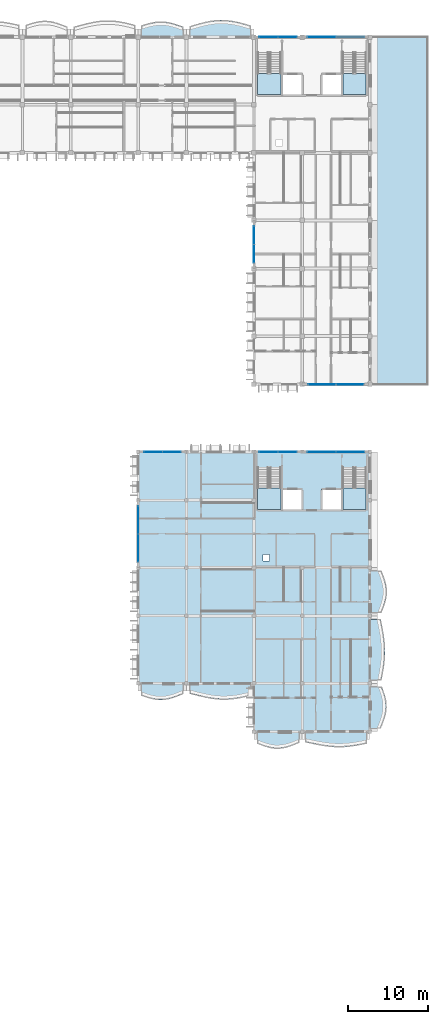
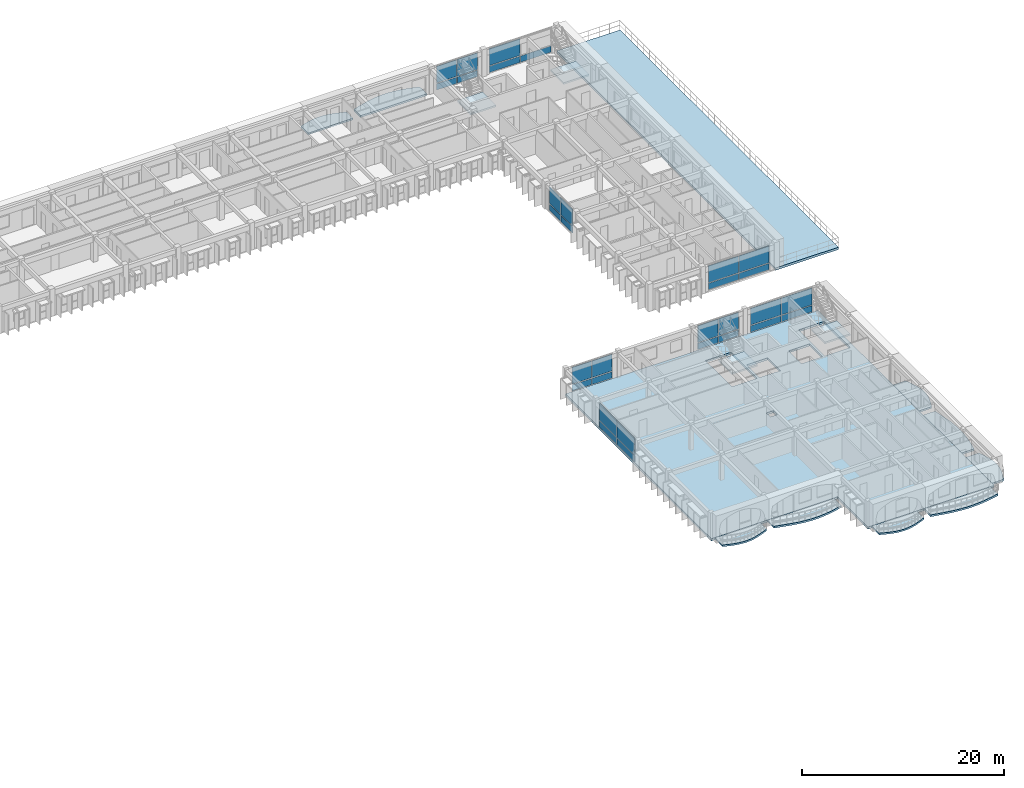
# One storey, part 20 of 68: 31 plates, 15 slabs, 12 elements without a shape of their own.
"""IFC4 building model written with IfcOpenShell, lengths in metres."""

from ifc_helpers import new_model, si_unit, direction, frame, origin, origin_2d, place, context, subcontext, project, spatial, polyline, rectangle, outline, extrude, material, layer, layer_set, type_object, element, aggregate, save


model = new_model("IFC4")

# Units and contexts
model_context = context("Model", 3, precision=1e-05, world=origin(), true_north=direction((0.0, 1.0)))
body_context = subcontext(model_context, "Body", "Model", "MODEL_VIEW")
ifc_project = project(units=[si_unit("LENGTHUNIT", "METRE"), si_unit("AREAUNIT", "SQUARE_METRE"), si_unit("VOLUMEUNIT", "CUBIC_METRE"), si_unit("PLANEANGLEUNIT", "RADIAN"), si_unit("MASSUNIT", "GRAM", prefix="KILO"), si_unit("THERMODYNAMICTEMPERATUREUNIT", "KELVIN")], contexts=[model_context])

# Site, building, storey
site_placement = place(None, origin())
site = spatial("IfcSite", under=ifc_project, at=site_placement, CompositionType="ELEMENT")
building_placement = place(site_placement, origin())
building = spatial("IfcBuilding", under=site, at=building_placement, Name="Thalorik Housing Commons", CompositionType="ELEMENT")
storey_placement = place(building_placement, frame((0.0, 0.0, 24.60009765625)))
storey = spatial("IfcBuildingStorey", under=building, at=storey_placement, Name="L07", CompositionType="ELEMENT", Elevation=24.60009765625)

# Curtain wall, plates
ifc_material_1 = material(Name="Anodised aluminium and solar-control low-E glass", Category="aluminium")
curtain_wall_type_1 = type_object("IfcCurtainWallType", Name="ARC-CW-CORE", PredefinedType="USERDEFINED", material=ifc_material_1)
curtain_wall_1_placement = place(storey_placement, origin())
curtain_wall_1 = element("IfcCurtainWall", 1, at=curtain_wall_1_placement, inside=storey, type_object=curtain_wall_type_1, Name="L07 Curtain Wall CW-CORE-L07-B-101", ObjectType="CURTAIN WALL", PredefinedType="USERDEFINED")
ifc_material_2 = material(Name="Cobalt blue enamelled aluminium spandrel panel", Category="aluminium")
ifc_layer_1 = layer(ifc_material_2, 0.0458984375, Name="Cobalt blue enamelled aluminium spandrel panel", Category="aluminium")
ifc_layer_set_1 = layer_set([ifc_layer_1], Name="Cobalt blue enamelled aluminium spandrel panel")
plate_type_1 = type_object("IfcPlateType", Name="ARC-CP-BLU-46", PredefinedType="CURTAIN_PANEL", material=ifc_layer_set_1)
plate_1_placement = place(storey_placement, frame((164.375, 123.60009765625, 0.080078125), z_axis=(0.0, 0.0, 1.0), x_axis=(-1.0, 0.0, 0.0)))
plate_1 = element("IfcPlate", 2, at=plate_1_placement, type_object=plate_type_1, Name="CW-CORE-L07-B-101 Spandrel Panel 1", PredefinedType="CURTAIN_PANEL", context=body_context, shape_type="SweptSolid", body=[
    extrude(rectangle(XDim=3.489990234375, YDim=0.0458984375, at=origin_2d()), origin(), (0.0, 0.0, 1.0), 0.760009765625),
])
plate_2_placement = place(storey_placement, frame((160.824951171875, 123.60009765625, 0.080078125), z_axis=(0.0, 0.0, 1.0), x_axis=(-1.0, 0.0, 0.0)))
plate_2 = element("IfcPlate", 3, at=plate_2_placement, type_object=plate_type_1, Name="CW-CORE-L07-B-101 Spandrel Panel 2", PredefinedType="CURTAIN_PANEL", context=body_context, shape_type="SweptSolid", body=[
    extrude(rectangle(XDim=3.489990234375, YDim=0.0458984375, at=origin_2d()), origin(), (0.0, 0.0, 1.0), 0.760009765625),
])

curtain_wall_type_2 = type_object("IfcCurtainWallType", Name="ARC-CW-LOUNGE", PredefinedType="USERDEFINED", material=ifc_material_1)
curtain_wall_2_placement = place(storey_placement, origin())
curtain_wall_2 = element("IfcCurtainWall", 4, at=curtain_wall_2_placement, inside=storey, type_object=curtain_wall_type_2, Name="L07 Curtain Wall CW-RES-L07-D-201", ObjectType="CURTAIN WALL", PredefinedType="USERDEFINED")
plate_3_placement = place(storey_placement, frame((138.0, 63.550048828125, 0.080078125), z_axis=(0.0, 0.0, 1.0), x_axis=(0.0, -1.0, 0.0)))
plate_3 = element("IfcPlate", 5, at=plate_3_placement, type_object=plate_type_1, Name="CW-RES-L07-D-201 Spandrel Panel 1", PredefinedType="CURTAIN_PANEL", context=body_context, shape_type="SweptSolid", body=[
    extrude(rectangle(XDim=3.43994140625, YDim=0.0458984375, at=origin_2d()), origin(), (0.0, 0.0, 1.0), 0.760009765625),
])
plate_4_placement = place(storey_placement, frame((138.0, 60.050048828125, 0.080078125), z_axis=(0.0, 0.0, 1.0), x_axis=(0.0, -1.0, 0.0)))
plate_4 = element("IfcPlate", 6, at=plate_4_placement, type_object=plate_type_1, Name="CW-RES-L07-D-201 Spandrel Panel 2", PredefinedType="CURTAIN_PANEL", context=body_context, shape_type="SweptSolid", body=[
    extrude(rectangle(XDim=3.43994140625, YDim=0.0458984375, at=origin_2d()), origin(), (0.0, 0.0, 1.0), 0.760009765625),
])

# Plate
ifc_material_3 = material(Name="Double solar-control low-E glass", Category="glass")
ifc_layer_2 = layer(ifc_material_3, 0.028076171875, Name="Double solar-control low-E glass", Category="glass")
ifc_layer_set_2 = layer_set([ifc_layer_2], Name="Double solar-control low-E glass")
plate_type_2 = type_object("IfcPlateType", Name="ARC-CP-GLZ-28", PredefinedType="CURTAIN_PANEL", material=ifc_layer_set_2)
plate_5_placement = place(storey_placement, frame((160.824951171875, 123.60009765625, 0.919921875), z_axis=(0.0, 0.0, 1.0), x_axis=(-1.0, 0.0, 0.0)))
plate_5 = element("IfcPlate", 7, at=plate_5_placement, type_object=plate_type_2, Name="CW-CORE-L07-B-101 Vision Panel 2", PredefinedType="CURTAIN_PANEL", context=body_context, shape_type="SweptSolid", body=[
    extrude(rectangle(XDim=3.489990234375, YDim=0.028076171875, at=origin_2d()), origin(), (0.0, 0.0, 1.0), 2.0400390625),
])

aggregate(curtain_wall_1, [plate_1, plate_2, plate_5])

# Curtain wall, plates
curtain_wall_3_placement = place(storey_placement, origin())
curtain_wall_3 = element("IfcCurtainWall", 8, at=curtain_wall_3_placement, inside=storey, type_object=curtain_wall_type_1, Name="L07 Curtain Wall CW-CORE-L07-B-102", ObjectType="CURTAIN WALL", PredefinedType="USERDEFINED")
plate_6_placement = place(storey_placement, frame((156.574951171875, 123.60009765625, 0.919921875), z_axis=(0.0, 0.0, 1.0), x_axis=(-1.0, 0.0, 0.0)))
plate_6 = element("IfcPlate", 9, at=plate_6_placement, type_object=plate_type_2, Name="CW-CORE-L07-B-102 Vision Panel 1", PredefinedType="CURTAIN_PANEL", context=body_context, shape_type="SweptSolid", body=[
    extrude(rectangle(XDim=2.2900390625, YDim=0.028076171875, at=origin_2d()), origin(), (0.0, 0.0, 1.0), 2.0400390625),
])
plate_7_placement = place(storey_placement, frame((154.22509765625, 123.60009765625, 0.919921875), z_axis=(0.0, 0.0, 1.0), x_axis=(-1.0, 0.0, 0.0)))
plate_7 = element("IfcPlate", 10, at=plate_7_placement, type_object=plate_type_2, Name="CW-CORE-L07-B-102 Vision Panel 2", PredefinedType="CURTAIN_PANEL", context=body_context, shape_type="SweptSolid", body=[
    extrude(rectangle(XDim=2.2900390625, YDim=0.028076171875, at=origin_2d()), origin(), (0.0, 0.0, 1.0), 2.0400390625),
])

curtain_wall_4_placement = place(storey_placement, origin())
curtain_wall_4 = element("IfcCurtainWall", 11, at=curtain_wall_4_placement, inside=storey, type_object=curtain_wall_type_2, Name="L07 Curtain Wall CW-RES-L07-B-105", ObjectType="CURTAIN WALL", PredefinedType="USERDEFINED")
plate_8_placement = place(storey_placement, frame((152.39990234375, 98.949951171875, 0.919921875), z_axis=(0.0, 0.0, 1.0), x_axis=(0.0, -1.0, 0.0)))
plate_8 = element("IfcPlate", 12, at=plate_8_placement, type_object=plate_type_2, Name="CW-RES-L07-B-105 Vision Panel 1", PredefinedType="CURTAIN_PANEL", context=body_context, shape_type="SweptSolid", body=[
    extrude(rectangle(XDim=2.239990234375, YDim=0.028076171875, at=origin_2d()), origin(), (0.0, 0.0, 1.0), 2.0400390625),
])
plate_9_placement = place(storey_placement, frame((152.39990234375, 96.64990234375, 0.919921875), z_axis=(0.0, 0.0, 1.0), x_axis=(0.0, -1.0, 0.0)))
plate_9 = element("IfcPlate", 13, at=plate_9_placement, type_object=plate_type_2, Name="CW-RES-L07-B-105 Vision Panel 2", PredefinedType="CURTAIN_PANEL", context=body_context, shape_type="SweptSolid", body=[
    extrude(rectangle(XDim=2.239990234375, YDim=0.028076171875, at=origin_2d()), origin(), (0.0, 0.0, 1.0), 2.0400390625),
])

curtain_wall_5_placement = place(storey_placement, origin())
curtain_wall_5 = element("IfcCurtainWall", 14, at=curtain_wall_5_placement, inside=storey, type_object=curtain_wall_type_2, Name="L07 Curtain Wall CW-RES-L07-B-106", ObjectType="CURTAIN WALL", PredefinedType="USERDEFINED")
plate_10_placement = place(storey_placement, frame((160.85009765625, 80.39990234375, 0.919921875), z_axis=(0.0, 0.0, 1.0), x_axis=(1.0, 0.0, 0.0)))
plate_10 = element("IfcPlate", 15, at=plate_10_placement, type_object=plate_type_2, Name="CW-RES-L07-B-106 Vision Panel 1", PredefinedType="CURTAIN_PANEL", context=body_context, shape_type="SweptSolid", body=[
    extrude(rectangle(XDim=3.43994140625, YDim=0.028076171875, at=origin_2d()), origin(), (0.0, 0.0, 1.0), 2.0400390625),
])
plate_11_placement = place(storey_placement, frame((164.35009765625, 80.39990234375, 0.919921875), z_axis=(0.0, 0.0, 1.0), x_axis=(1.0, 0.0, 0.0)))
plate_11 = element("IfcPlate", 16, at=plate_11_placement, type_object=plate_type_2, Name="CW-RES-L07-B-106 Vision Panel 2", PredefinedType="CURTAIN_PANEL", context=body_context, shape_type="SweptSolid", body=[
    extrude(rectangle(XDim=3.43994140625, YDim=0.028076171875, at=origin_2d()), origin(), (0.0, 0.0, 1.0), 2.0400390625),
])

curtain_wall_6_placement = place(storey_placement, origin())
curtain_wall_6 = element("IfcCurtainWall", 17, at=curtain_wall_6_placement, inside=storey, type_object=curtain_wall_type_2, Name="L07 Curtain Wall CW-RES-L07-D-200", ObjectType="CURTAIN WALL", PredefinedType="USERDEFINED")
plate_12_placement = place(storey_placement, frame((142.14990234375, 72.0, 0.919921875), z_axis=(0.0, 0.0, 1.0), x_axis=(-1.0, 0.0, 0.0)))
plate_12 = element("IfcPlate", 18, at=plate_12_placement, type_object=plate_type_2, Name="CW-RES-L07-D-200 Vision Panel 1", PredefinedType="CURTAIN_PANEL", context=body_context, shape_type="SweptSolid", body=[
    extrude(rectangle(XDim=2.239990234375, YDim=0.028076171875, at=origin_2d()), origin(), (0.0, 0.0, 1.0), 2.0400390625),
])
plate_13_placement = place(storey_placement, frame((139.85009765625, 72.0, 0.919921875), z_axis=(0.0, 0.0, 1.0), x_axis=(-1.0, 0.0, 0.0)))
plate_13 = element("IfcPlate", 19, at=plate_13_placement, type_object=plate_type_2, Name="CW-RES-L07-D-200 Vision Panel 2", PredefinedType="CURTAIN_PANEL", context=body_context, shape_type="SweptSolid", body=[
    extrude(rectangle(XDim=2.239990234375, YDim=0.028076171875, at=origin_2d()), origin(), (0.0, 0.0, 1.0), 2.0400390625),
])

# Plate
plate_14_placement = place(storey_placement, frame((138.0, 63.550048828125, 0.919921875), z_axis=(0.0, 0.0, 1.0), x_axis=(0.0, -1.0, 0.0)))
plate_14 = element("IfcPlate", 20, at=plate_14_placement, type_object=plate_type_2, Name="CW-RES-L07-D-201 Vision Panel 1", PredefinedType="CURTAIN_PANEL", context=body_context, shape_type="SweptSolid", body=[
    extrude(rectangle(XDim=3.43994140625, YDim=0.028076171875, at=origin_2d()), origin(), (0.0, 0.0, 1.0), 2.0400390625),
])

plate_15_placement = place(storey_placement, frame((138.0, 60.050048828125, 0.919921875), z_axis=(0.0, 0.0, 1.0), x_axis=(0.0, -1.0, 0.0)))
plate_15 = element("IfcPlate", 21, at=plate_15_placement, type_object=plate_type_2, Name="CW-RES-L07-D-201 Vision Panel 2", PredefinedType="CURTAIN_PANEL", context=body_context, shape_type="SweptSolid", body=[
    extrude(rectangle(XDim=3.43994140625, YDim=0.028076171875, at=origin_2d()), origin(), (0.0, 0.0, 1.0), 2.0400390625),
])

aggregate(curtain_wall_2, [plate_3, plate_14, plate_4, plate_15])

# Curtain wall, plates
curtain_wall_7_placement = place(storey_placement, origin())
curtain_wall_7 = element("IfcCurtainWall", 22, at=curtain_wall_7_placement, inside=storey, type_object=curtain_wall_type_1, Name="L07 Curtain Wall CW-CORE-L07-D-205", ObjectType="CURTAIN WALL", PredefinedType="USERDEFINED")
plate_16_placement = place(storey_placement, frame((164.375, 72.0, 0.919921875), z_axis=(0.0, 0.0, 1.0), x_axis=(-1.0, 0.0, 0.0)))
plate_16 = element("IfcPlate", 23, at=plate_16_placement, type_object=plate_type_2, Name="CW-CORE-L07-D-205 Vision Panel 1", PredefinedType="CURTAIN_PANEL", context=body_context, shape_type="SweptSolid", body=[
    extrude(rectangle(XDim=3.489990234375, YDim=0.028076171875, at=origin_2d()), origin(), (0.0, 0.0, 1.0), 2.0400390625),
])
plate_17_placement = place(storey_placement, frame((160.824951171875, 72.0, 0.919921875), z_axis=(0.0, 0.0, 1.0), x_axis=(-1.0, 0.0, 0.0)))
plate_17 = element("IfcPlate", 24, at=plate_17_placement, type_object=plate_type_2, Name="CW-CORE-L07-D-205 Vision Panel 2", PredefinedType="CURTAIN_PANEL", context=body_context, shape_type="SweptSolid", body=[
    extrude(rectangle(XDim=3.489990234375, YDim=0.028076171875, at=origin_2d()), origin(), (0.0, 0.0, 1.0), 2.0400390625),
])

curtain_wall_8_placement = place(storey_placement, origin())
curtain_wall_8 = element("IfcCurtainWall", 25, at=curtain_wall_8_placement, inside=storey, type_object=curtain_wall_type_1, Name="L07 Curtain Wall CW-CORE-L07-D-206", ObjectType="CURTAIN WALL", PredefinedType="USERDEFINED")
plate_18_placement = place(storey_placement, frame((156.574951171875, 72.0, 0.919921875), z_axis=(0.0, 0.0, 1.0), x_axis=(-1.0, 0.0, 0.0)))
plate_18 = element("IfcPlate", 26, at=plate_18_placement, type_object=plate_type_2, Name="CW-CORE-L07-D-206 Vision Panel 1", PredefinedType="CURTAIN_PANEL", context=body_context, shape_type="SweptSolid", body=[
    extrude(rectangle(XDim=2.2900390625, YDim=0.028076171875, at=origin_2d()), origin(), (0.0, 0.0, 1.0), 2.0400390625),
])
plate_19_placement = place(storey_placement, frame((154.22509765625, 72.0, 0.919921875), z_axis=(0.0, 0.0, 1.0), x_axis=(-1.0, 0.0, 0.0)))
plate_19 = element("IfcPlate", 27, at=plate_19_placement, type_object=plate_type_2, Name="CW-CORE-L07-D-206 Vision Panel 2", PredefinedType="CURTAIN_PANEL", context=body_context, shape_type="SweptSolid", body=[
    extrude(rectangle(XDim=2.2900390625, YDim=0.028076171875, at=origin_2d()), origin(), (0.0, 0.0, 1.0), 2.0400390625),
])

# Plate
ifc_material_4 = material(Name="Oxide red enamelled aluminium spandrel panel", Category="aluminium")
ifc_layer_3 = layer(ifc_material_4, 0.0419921875, Name="Oxide red enamelled aluminium spandrel panel", Category="aluminium")
ifc_layer_set_3 = layer_set([ifc_layer_3], Name="Oxide red enamelled aluminium spandrel panel")
plate_type_3 = type_object("IfcPlateType", Name="ARC-CP-RED-42", PredefinedType="CURTAIN_PANEL", material=ifc_layer_set_3)
plate_20_placement = place(storey_placement, frame((160.85009765625, 80.39990234375, 0.080078125), z_axis=(0.0, 0.0, 1.0), x_axis=(1.0, 0.0, 0.0)))
plate_20 = element("IfcPlate", 28, at=plate_20_placement, type_object=plate_type_3, Name="CW-RES-L07-B-106 Spandrel Panel 1", PredefinedType="CURTAIN_PANEL", context=body_context, shape_type="SweptSolid", body=[
    extrude(rectangle(XDim=3.43994140625, YDim=0.0419921875, at=origin_2d()), origin(), (0.0, 0.0, 1.0), 0.760009765625),
])

plate_21_placement = place(storey_placement, frame((164.35009765625, 80.39990234375, 0.080078125), z_axis=(0.0, 0.0, 1.0), x_axis=(1.0, 0.0, 0.0)))
plate_21 = element("IfcPlate", 29, at=plate_21_placement, type_object=plate_type_3, Name="CW-RES-L07-B-106 Spandrel Panel 2", PredefinedType="CURTAIN_PANEL", context=body_context, shape_type="SweptSolid", body=[
    extrude(rectangle(XDim=3.43994140625, YDim=0.0419921875, at=origin_2d()), origin(), (0.0, 0.0, 1.0), 0.760009765625),
])

aggregate(curtain_wall_5, [plate_20, plate_10, plate_21, plate_11])

plate_22_placement = place(storey_placement, frame((156.574951171875, 72.0, 0.080078125), z_axis=(0.0, 0.0, 1.0), x_axis=(-1.0, 0.0, 0.0)))
plate_22 = element("IfcPlate", 30, at=plate_22_placement, type_object=plate_type_3, Name="CW-CORE-L07-D-206 Spandrel Panel 1", PredefinedType="CURTAIN_PANEL", context=body_context, shape_type="SweptSolid", body=[
    extrude(rectangle(XDim=2.2900390625, YDim=0.0419921875, at=origin_2d()), origin(), (0.0, 0.0, 1.0), 0.760009765625),
])

plate_23_placement = place(storey_placement, frame((154.22509765625, 72.0, 0.080078125), z_axis=(0.0, 0.0, 1.0), x_axis=(-1.0, 0.0, 0.0)))
plate_23 = element("IfcPlate", 31, at=plate_23_placement, type_object=plate_type_3, Name="CW-CORE-L07-D-206 Spandrel Panel 2", PredefinedType="CURTAIN_PANEL", context=body_context, shape_type="SweptSolid", body=[
    extrude(rectangle(XDim=2.2900390625, YDim=0.0419921875, at=origin_2d()), origin(), (0.0, 0.0, 1.0), 0.760009765625),
])

aggregate(curtain_wall_8, [plate_22, plate_18, plate_23, plate_19])

ifc_material_5 = material(Name="Mineral ochre yellow aluminium spandrel panel", Category="aluminium")
ifc_layer_4 = layer(ifc_material_5, 0.050048828125, Name="Mineral ochre yellow aluminium spandrel panel", Category="aluminium")
ifc_layer_set_4 = layer_set([ifc_layer_4], Name="Mineral ochre yellow aluminium spandrel panel")
plate_type_4 = type_object("IfcPlateType", Name="ARC-CP-YEL-50", PredefinedType="CURTAIN_PANEL", material=ifc_layer_set_4)
plate_24_placement = place(storey_placement, frame((156.574951171875, 123.60009765625, 0.080078125), z_axis=(0.0, 0.0, 1.0), x_axis=(-1.0, 0.0, 0.0)))
plate_24 = element("IfcPlate", 32, at=plate_24_placement, type_object=plate_type_4, Name="CW-CORE-L07-B-102 Spandrel Panel 1", PredefinedType="CURTAIN_PANEL", context=body_context, shape_type="SweptSolid", body=[
    extrude(rectangle(XDim=2.2900390625, YDim=0.050048828125, at=origin_2d()), origin(), (0.0, 0.0, 1.0), 0.760009765625),
])

plate_25_placement = place(storey_placement, frame((154.22509765625, 123.60009765625, 0.080078125), z_axis=(0.0, 0.0, 1.0), x_axis=(-1.0, 0.0, 0.0)))
plate_25 = element("IfcPlate", 33, at=plate_25_placement, type_object=plate_type_4, Name="CW-CORE-L07-B-102 Spandrel Panel 2", PredefinedType="CURTAIN_PANEL", context=body_context, shape_type="SweptSolid", body=[
    extrude(rectangle(XDim=2.2900390625, YDim=0.050048828125, at=origin_2d()), origin(), (0.0, 0.0, 1.0), 0.760009765625),
])

aggregate(curtain_wall_3, [plate_24, plate_6, plate_25, plate_7])

plate_26_placement = place(storey_placement, frame((152.39990234375, 98.949951171875, 0.080078125), z_axis=(0.0, 0.0, 1.0), x_axis=(0.0, -1.0, 0.0)))
plate_26 = element("IfcPlate", 34, at=plate_26_placement, type_object=plate_type_4, Name="CW-RES-L07-B-105 Spandrel Panel 1", PredefinedType="CURTAIN_PANEL", context=body_context, shape_type="SweptSolid", body=[
    extrude(rectangle(XDim=2.239990234375, YDim=0.050048828125, at=origin_2d()), origin(), (0.0, 0.0, 1.0), 0.760009765625),
])

plate_27_placement = place(storey_placement, frame((152.39990234375, 96.64990234375, 0.080078125), z_axis=(0.0, 0.0, 1.0), x_axis=(0.0, -1.0, 0.0)))
plate_27 = element("IfcPlate", 35, at=plate_27_placement, type_object=plate_type_4, Name="CW-RES-L07-B-105 Spandrel Panel 2", PredefinedType="CURTAIN_PANEL", context=body_context, shape_type="SweptSolid", body=[
    extrude(rectangle(XDim=2.239990234375, YDim=0.050048828125, at=origin_2d()), origin(), (0.0, 0.0, 1.0), 0.760009765625),
])

aggregate(curtain_wall_4, [plate_26, plate_8, plate_27, plate_9])

plate_28_placement = place(storey_placement, frame((142.14990234375, 72.0, 0.080078125), z_axis=(0.0, 0.0, 1.0), x_axis=(-1.0, 0.0, 0.0)))
plate_28 = element("IfcPlate", 36, at=plate_28_placement, type_object=plate_type_4, Name="CW-RES-L07-D-200 Spandrel Panel 1", PredefinedType="CURTAIN_PANEL", context=body_context, shape_type="SweptSolid", body=[
    extrude(rectangle(XDim=2.239990234375, YDim=0.050048828125, at=origin_2d()), origin(), (0.0, 0.0, 1.0), 0.760009765625),
])

plate_29_placement = place(storey_placement, frame((139.85009765625, 72.0, 0.080078125), z_axis=(0.0, 0.0, 1.0), x_axis=(-1.0, 0.0, 0.0)))
plate_29 = element("IfcPlate", 37, at=plate_29_placement, type_object=plate_type_4, Name="CW-RES-L07-D-200 Spandrel Panel 2", PredefinedType="CURTAIN_PANEL", context=body_context, shape_type="SweptSolid", body=[
    extrude(rectangle(XDim=2.239990234375, YDim=0.050048828125, at=origin_2d()), origin(), (0.0, 0.0, 1.0), 0.760009765625),
])

aggregate(curtain_wall_6, [plate_28, plate_12, plate_29, plate_13])

plate_30_placement = place(storey_placement, frame((164.375, 72.0, 0.080078125), z_axis=(0.0, 0.0, 1.0), x_axis=(-1.0, 0.0, 0.0)))
plate_30 = element("IfcPlate", 38, at=plate_30_placement, type_object=plate_type_4, Name="CW-CORE-L07-D-205 Spandrel Panel 1", PredefinedType="CURTAIN_PANEL", context=body_context, shape_type="SweptSolid", body=[
    extrude(rectangle(XDim=3.489990234375, YDim=0.050048828125, at=origin_2d()), origin(), (0.0, 0.0, 1.0), 0.760009765625),
])

plate_31_placement = place(storey_placement, frame((160.824951171875, 72.0, 0.080078125), z_axis=(0.0, 0.0, 1.0), x_axis=(-1.0, 0.0, 0.0)))
plate_31 = element("IfcPlate", 39, at=plate_31_placement, type_object=plate_type_4, Name="CW-CORE-L07-D-205 Spandrel Panel 2", PredefinedType="CURTAIN_PANEL", context=body_context, shape_type="SweptSolid", body=[
    extrude(rectangle(XDim=3.489990234375, YDim=0.050048828125, at=origin_2d()), origin(), (0.0, 0.0, 1.0), 0.760009765625),
])

aggregate(curtain_wall_7, [plate_30, plate_16, plate_31, plate_17])

# Stair, slab
ifc_material_6 = material(Name="Precast concrete C40/50", Category="concrete")
stair_type = type_object("IfcStairType", Name="ARC-STR-1350-R20", PredefinedType="HALF_TURN_STAIR", material=ifc_material_6)
stair_1_placement = place(storey_placement, origin())
stair_1 = element("IfcStair", 40, at=stair_1_placement, inside=storey, type_object=stair_type, Name="L07 Block B Smoke-Proof Stair 1", PredefinedType="HALF_TURN_STAIR")
ifc_layer_5 = layer(ifc_material_6, 0.199951171875, Name="Precast concrete C40/50", Category="concrete")
ifc_layer_set_5 = layer_set([ifc_layer_5], Name="Precast concrete C40/50")
slab_type_1 = type_object("IfcSlabType", Name="ARC-SLB-STLND-200", PredefinedType="LANDING", material=ifc_layer_set_5)
slab_1_placement = place(storey_placement, frame((0.0, 0.0, 1.449951171875)))
slab_1 = element("IfcSlab", 41, at=slab_1_placement, type_object=slab_type_1, Name="ST-B1 landing 1", PredefinedType="LANDING", context=body_context, shape_type="SweptSolid", body=[
    extrude(outline(polyline([(152.85009765625, 119.090087890625), (152.85009765625, 116.449951171875), (155.75, 116.449951171875), (155.75, 119.090087890625), (152.85009765625, 119.090087890625)])), origin(), (0.0, 0.0, 1.0), 0.199951171875),
])
aggregate(stair_1, [slab_1])

stair_2_placement = place(storey_placement, origin())
stair_2 = element("IfcStair", 42, at=stair_2_placement, inside=storey, type_object=stair_type, Name="L07 Block B Smoke-Proof Stair 2", PredefinedType="HALF_TURN_STAIR")
slab_2_placement = place(storey_placement, frame((0.0, 0.0, 1.449951171875)))
slab_2 = element("IfcSlab", 43, at=slab_2_placement, type_object=slab_type_1, Name="ST-B2 landing 1", PredefinedType="LANDING", context=body_context, shape_type="SweptSolid", body=[
    extrude(outline(polyline([(163.449951171875, 119.090087890625), (163.449951171875, 116.449951171875), (166.35009765625, 116.449951171875), (166.35009765625, 119.090087890625), (163.449951171875, 119.090087890625)])), origin(), (0.0, 0.0, 1.0), 0.199951171875),
])
aggregate(stair_2, [slab_2])

stair_3_placement = place(storey_placement, origin())
stair_3 = element("IfcStair", 44, at=stair_3_placement, inside=storey, type_object=stair_type, Name="L07 Block D Smoke-Proof Stair 1", PredefinedType="HALF_TURN_STAIR")
slab_3_placement = place(storey_placement, frame((0.0, 0.0, 1.449951171875)))
slab_3 = element("IfcSlab", 45, at=slab_3_placement, type_object=slab_type_1, Name="ST-D1 landing 1", PredefinedType="LANDING", context=body_context, shape_type="SweptSolid", body=[
    extrude(outline(polyline([(152.85009765625, 67.489990234375), (152.85009765625, 64.85009765625), (155.75, 64.85009765625), (155.75, 67.489990234375), (152.85009765625, 67.489990234375)])), origin(), (0.0, 0.0, 1.0), 0.199951171875),
])
aggregate(stair_3, [slab_3])

stair_4_placement = place(storey_placement, origin())
stair_4 = element("IfcStair", 46, at=stair_4_placement, inside=storey, type_object=stair_type, Name="L07 Block D Smoke-Proof Stair 2", PredefinedType="HALF_TURN_STAIR")
slab_4_placement = place(storey_placement, frame((0.0, 0.0, 1.449951171875)))
slab_4 = element("IfcSlab", 47, at=slab_4_placement, type_object=slab_type_1, Name="ST-D2 landing 1", PredefinedType="LANDING", context=body_context, shape_type="SweptSolid", body=[
    extrude(outline(polyline([(163.449951171875, 67.489990234375), (163.449951171875, 64.85009765625), (166.35009765625, 64.85009765625), (166.35009765625, 67.489990234375), (163.449951171875, 67.489990234375)])), origin(), (0.0, 0.0, 1.0), 0.199951171875),
])
aggregate(stair_4, [slab_4])

# Slabs
ifc_layer_6 = layer(ifc_material_6, 0.199951171875, Name="Precast concrete C40/50", Category="concrete")
ifc_layer_set_6 = layer_set([ifc_layer_6], Name="Precast concrete C40/50")
slab_type_2 = type_object("IfcSlabType", Name="STR-SLB-BALC-200", PredefinedType="FLOOR", material=ifc_layer_set_6)
slab_5_placement = place(storey_placement, frame((0.0, 0.0, -0.2001953125)))
element("IfcSlab", 48, at=slab_5_placement, inside=storey, type_object=slab_type_2, Name="L07 Block B Cushion Balcony 194", PredefinedType="FLOOR", context=body_context, shape_type="SweptSolid", body=[
    extrude(outline(polyline([(138.419921875, 123.60009765625), (143.580078125, 123.60009765625), (143.580078125, 124.856689453125), (143.14990234375, 125.009765625), (142.719970703125, 125.156005859375), (142.2900390625, 125.28564453125), (141.860107421875, 125.389892578125), (141.429931640625, 125.4619140625), (141.0, 125.496826171875), (140.570068359375, 125.4931640625), (140.139892578125, 125.45166015625), (139.7099609375, 125.37548828125), (139.280029296875, 125.270751953125), (138.85009765625, 125.1455078125), (138.419921875, 125.0087890625), (138.419921875, 123.60009765625)])), origin(), (0.0, 0.0, 1.0), 0.2001953125),
])
slab_6_placement = place(storey_placement, frame((0.0, 0.0, -0.2001953125)))
element("IfcSlab", 49, at=slab_6_placement, inside=storey, type_object=slab_type_2, Name="L07 Block D Cushion Balcony 373", PredefinedType="FLOOR", context=body_context, shape_type="SweptSolid", body=[
    extrude(outline(polyline([(168.12939453125, 37.6201171875), (168.309326171875, 38.050048828125), (168.479248046875, 38.47998046875), (168.6279296875, 38.909912109375), (168.74658203125, 39.340087890625), (168.8271484375, 39.77001953125), (168.864990234375, 40.199951171875), (168.8583984375, 40.6298828125), (168.80810546875, 41.06005859375), (168.7177734375, 41.489990234375), (168.593994140625, 41.919921875), (168.445068359375, 42.35009765625), (168.28125, 42.780029296875), (166.800048828125, 42.780029296875), (166.800048828125, 37.6201171875), (168.12939453125, 37.6201171875)])), origin(), (0.0, 0.0, 1.0), 0.2001953125),
])
slab_7_placement = place(storey_placement, frame((0.0, 0.0, -0.2001953125)))
element("IfcSlab", 50, at=slab_7_placement, inside=storey, type_object=slab_type_2, Name="L07 Block D Cushion Balcony 375", PredefinedType="FLOOR", context=body_context, shape_type="SweptSolid", body=[
    extrude(outline(polyline([(168.22021484375, 52.02001953125), (168.397705078125, 52.449951171875), (168.56201171875, 52.8798828125), (168.702392578125, 53.31005859375), (168.809814453125, 53.739990234375), (168.877197265625, 54.169921875), (168.89990234375, 54.60009765625), (168.877197265625, 55.030029296875), (168.809814453125, 55.4599609375), (168.702392578125, 55.889892578125), (168.56201171875, 56.320068359375), (168.397705078125, 56.75), (168.22021484375, 57.179931640625), (166.800048828125, 57.179931640625), (166.800048828125, 52.02001953125), (168.22021484375, 52.02001953125)])), origin(), (0.0, 0.0, 1.0), 0.2001953125),
])
slab_8_placement = place(storey_placement, frame((0.0, 0.0, -0.2001953125)))
element("IfcSlab", 51, at=slab_8_placement, inside=storey, type_object=slab_type_2, Name="L07 Block D Cushion Balcony 376", PredefinedType="FLOOR", context=body_context, shape_type="SweptSolid", body=[
    extrude(outline(polyline([(152.820068359375, 35.74267578125), (153.25, 35.57080078125), (153.679931640625, 35.41357421875), (154.110107421875, 35.281005859375), (154.5400390625, 35.181884765625), (154.969970703125, 35.123291015625), (155.39990234375, 35.109130859375), (155.830078125, 35.140380859375), (156.260009765625, 35.21533203125), (156.68994140625, 35.32958984375), (157.1201171875, 35.4755859375), (157.550048828125, 35.644287109375), (157.97998046875, 35.82470703125), (157.97998046875, 37.199951171875), (152.820068359375, 37.199951171875), (152.820068359375, 35.74267578125)])), origin(), (0.0, 0.0, 1.0), 0.2001953125),
])
slab_9_placement = place(storey_placement, frame((0.0, 0.0, -0.2001953125)))
element("IfcSlab", 52, at=slab_9_placement, inside=storey, type_object=slab_type_2, Name="L07 Block D Cushion Balcony 378", PredefinedType="FLOOR", context=body_context, shape_type="SweptSolid", body=[
    extrude(outline(polyline([(138.419921875, 41.712158203125), (138.85009765625, 41.556884765625), (139.280029296875, 41.416748046875), (139.7099609375, 41.301025390625), (140.139892578125, 41.21826171875), (140.570068359375, 41.174560546875), (141.0, 41.173583984375), (141.429931640625, 41.215576171875), (141.860107421875, 41.298828125), (142.2900390625, 41.41845703125), (142.719970703125, 41.566650390625), (143.14990234375, 41.734375), (143.580078125, 41.91064453125), (143.580078125, 43.199951171875), (138.419921875, 43.199951171875), (138.419921875, 41.712158203125)])), origin(), (0.0, 0.0, 1.0), 0.2001953125),
])
ifc_layer_7 = layer(ifc_material_6, 0.219970703125, Name="Precast concrete C40/50", Category="concrete")
ifc_layer_set_7 = layer_set([ifc_layer_7], Name="Precast concrete C40/50")
slab_type_3 = type_object("IfcSlabType", Name="STR-SLB-BALC-220", PredefinedType="FLOOR", material=ifc_layer_set_7)
slab_10_placement = place(storey_placement, frame((0.0, 0.0, -0.22021484375)))
element("IfcSlab", 53, at=slab_10_placement, inside=storey, type_object=slab_type_3, Name="L07 Block B Cushion Balcony 195", PredefinedType="FLOOR", context=body_context, shape_type="SweptSolid", body=[
    extrude(outline(polyline([(144.419921875, 123.60009765625), (151.97998046875, 123.60009765625), (151.97998046875, 125.005859375), (151.35009765625, 125.193603515625), (150.719970703125, 125.365478515625), (150.090087890625, 125.509765625), (149.4599609375, 125.616455078125), (148.830078125, 125.67822265625), (148.199951171875, 125.69091796875), (147.570068359375, 125.653564453125), (146.93994140625, 125.569091796875), (146.31005859375, 125.44287109375), (145.679931640625, 125.2841796875), (145.050048828125, 125.104248046875), (144.419921875, 124.9150390625), (144.419921875, 123.60009765625)])), origin(), (0.0, 0.0, 1.0), 0.22021484375),
])
slab_11_placement = place(storey_placement, frame((0.0, 0.0, -0.22021484375)))
element("IfcSlab", 54, at=slab_11_placement, inside=storey, type_object=slab_type_3, Name="L07 Block D Cushion Balcony 374", PredefinedType="FLOOR", context=body_context, shape_type="SweptSolid", body=[
    extrude(outline(polyline([(168.222900390625, 43.6201171875), (168.3505859375, 44.25), (168.4658203125, 44.8798828125), (168.560546875, 45.510009765625), (168.629150390625, 46.139892578125), (168.666748046875, 46.77001953125), (168.671142578125, 47.39990234375), (168.64208984375, 48.030029296875), (168.58154296875, 48.659912109375), (168.49365234375, 49.2900390625), (168.384521484375, 49.919921875), (168.26123046875, 50.550048828125), (168.132080078125, 51.179931640625), (166.800048828125, 51.179931640625), (166.800048828125, 43.6201171875), (168.222900390625, 43.6201171875)])), origin(), (0.0, 0.0, 1.0), 0.22021484375),
])
slab_12_placement = place(storey_placement, frame((0.0, 0.0, -0.22021484375)))
element("IfcSlab", 55, at=slab_12_placement, inside=storey, type_object=slab_type_3, Name="L07 Block D Cushion Balcony 377", PredefinedType="FLOOR", context=body_context, shape_type="SweptSolid", body=[
    extrude(outline(polyline([(158.820068359375, 35.908203125), (159.449951171875, 35.771484375), (160.080078125, 35.63818359375), (160.7099609375, 35.51708984375), (161.340087890625, 35.416748046875), (161.969970703125, 35.34375), (162.60009765625, 35.302978515625), (163.22998046875, 35.298095703125), (163.860107421875, 35.328857421875), (164.489990234375, 35.3935546875), (165.1201171875, 35.48828125), (165.75, 35.6064453125), (166.3798828125, 35.740478515625), (166.3798828125, 37.199951171875), (158.820068359375, 37.199951171875), (158.820068359375, 35.908203125)])), origin(), (0.0, 0.0, 1.0), 0.22021484375),
])
slab_13_placement = place(storey_placement, frame((0.0, 0.0, -0.22021484375)))
element("IfcSlab", 56, at=slab_13_placement, inside=storey, type_object=slab_type_3, Name="L07 Block D Cushion Balcony 379", PredefinedType="FLOOR", context=body_context, shape_type="SweptSolid", body=[
    extrude(outline(polyline([(144.419921875, 41.94970703125), (145.050048828125, 41.789306640625), (145.679931640625, 41.631103515625), (146.31005859375, 41.485595703125), (146.93994140625, 41.36328125), (147.570068359375, 41.272216796875), (148.199951171875, 41.218994140625), (148.830078125, 41.20751953125), (149.4599609375, 41.23876953125), (150.090087890625, 41.310791015625), (150.719970703125, 41.4189453125), (151.35009765625, 41.555908203125), (151.97998046875, 41.71240234375), (151.97998046875, 43.199951171875), (144.419921875, 43.199951171875), (144.419921875, 41.94970703125)])), origin(), (0.0, 0.0, 1.0), 0.22021484375),
])
ifc_material_7 = material(Name="Precast concrete C45/55", Category="concrete")
ifc_layer_8 = layer(ifc_material_7, 0.260009765625, Name="Precast concrete C45/55", Category="concrete")
ifc_layer_set_8 = layer_set([ifc_layer_8], Name="Precast concrete C45/55")
slab_type_4 = type_object("IfcSlabType", Name="STR-SLB-HC-260", PredefinedType="FLOOR", material=ifc_layer_set_8)
slab_14_placement = place(storey_placement, frame((0.0, 0.0, -0.260009765625)))
element("IfcSlab", 57, at=slab_14_placement, inside=storey, type_object=slab_type_4, Name="L07 Residential Block D Floor Slab", PredefinedType="FLOOR", context=body_context, shape_type="SweptSolid", body=[
    extrude(outline(polyline([(152.39990234375, 43.199951171875), (152.39990234375, 37.199951171875), (166.800048828125, 37.199951171875), (166.800048828125, 72.0), (152.39990234375, 72.0), (138.0, 72.0), (138.0, 43.199951171875), (152.39990234375, 43.199951171875)]), holes=[polyline([(152.85009765625, 70.050048828125), (155.75, 70.050048828125), (155.75, 64.85009765625), (152.85009765625, 64.85009765625), (152.85009765625, 70.050048828125)]), polyline([(166.35009765625, 70.050048828125), (166.35009765625, 64.85009765625), (163.449951171875, 64.85009765625), (163.449951171875, 70.050048828125), (166.35009765625, 70.050048828125)]), polyline([(158.39990234375, 67.39990234375), (158.39990234375, 64.85009765625), (156.0, 64.85009765625), (156.0, 67.39990234375), (158.39990234375, 67.39990234375)]), polyline([(163.199951171875, 64.85009765625), (160.800048828125, 64.85009765625), (160.800048828125, 67.39990234375), (163.199951171875, 67.39990234375), (163.199951171875, 64.85009765625)]), polyline([(153.550048828125, 58.449951171875), (153.550048828125, 59.25), (154.35009765625, 59.25), (154.35009765625, 58.449951171875), (153.550048828125, 58.449951171875)])]), origin(), (0.0, 0.0, 1.0), 0.260009765625),
])
ifc_layer_9 = layer(ifc_material_7, 0.280029296875, Name="Precast concrete C45/55", Category="concrete")
ifc_layer_set_9 = layer_set([ifc_layer_9], Name="Precast concrete C45/55")
slab_type_5 = type_object("IfcSlabType", Name="STR-SLB-TERR-280", PredefinedType="FLOOR", material=ifc_layer_set_9)
slab_15_placement = place(storey_placement, frame((0.0, 0.0, -0.280029296875)))
element("IfcSlab", 58, at=slab_15_placement, inside=storey, type_object=slab_type_5, Name="L07 Block B L07 East Sky-Garden Terrace", PredefinedType="FLOOR", context=body_context, shape_type="SweptSolid", body=[
    extrude(outline(polyline([(174.0, 80.39990234375), (174.0, 123.60009765625), (166.800048828125, 123.60009765625), (166.800048828125, 80.39990234375), (174.0, 80.39990234375)])), origin(), (0.0, 0.0, 1.0), 0.280029296875),
])

save(model, "model.ifc")
